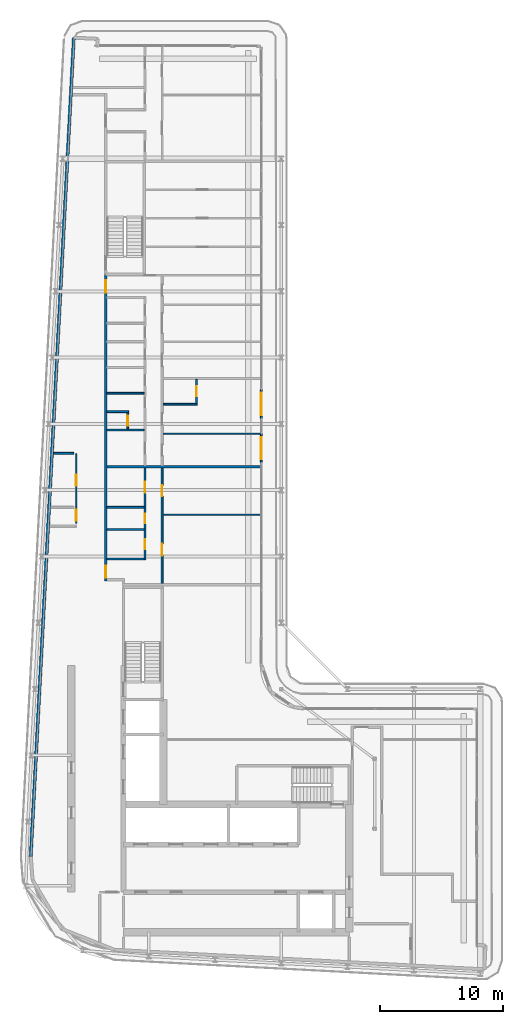
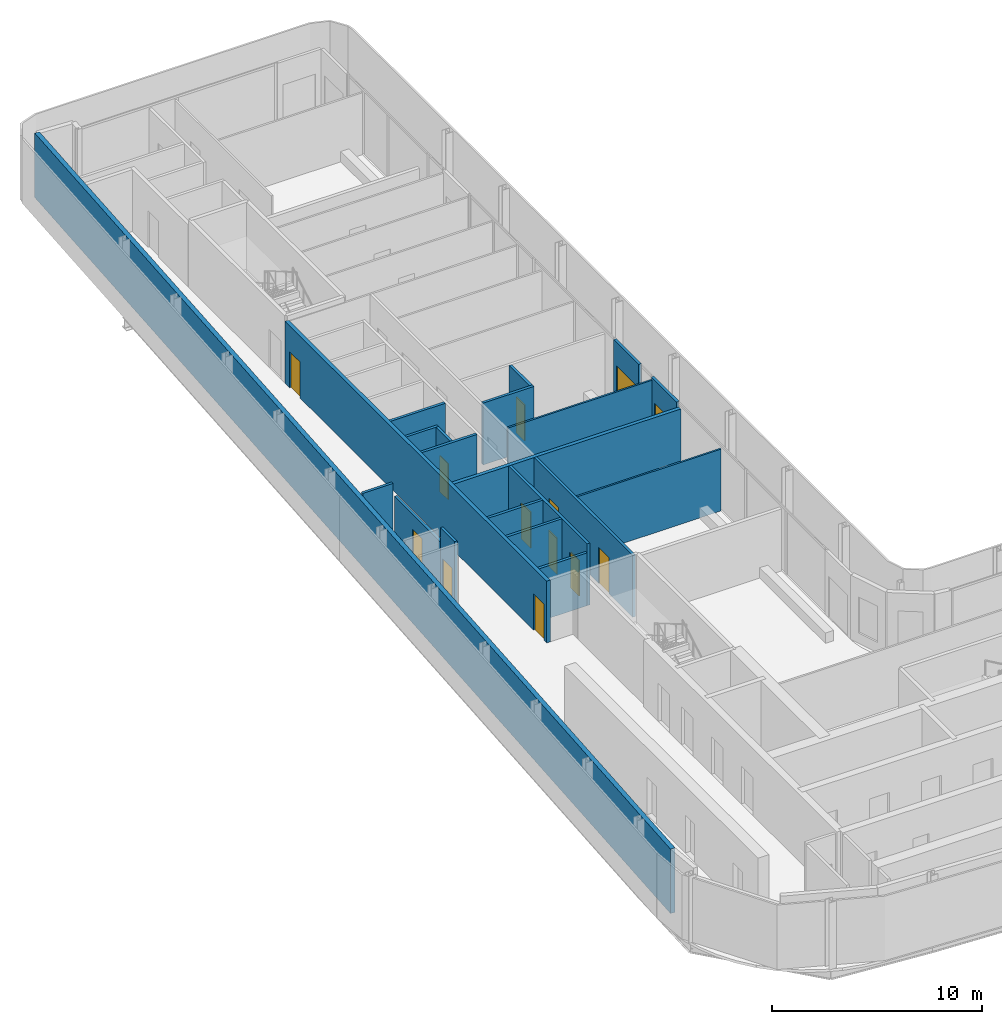
# One storey, part 13 of 21: 21 walls, 13 doors, 13 openings.
"""IFC4 building model written with IfcOpenShell, lengths in metres."""

import ifcopenshell
import ifcopenshell.guid

model = None  # the IFC model being written
_history = None  # IfcOwnerHistory: only IFC2X3 demands one
_inside = {}  # id of a spatial element -> (the spatial element, [elements in it])
_under = {}  # id of a project, library or spatial element -> (it, [spatial elements below it])
_declared = {}  # id of a project -> (the project, [libraries it declares])
_typed = {}  # id of a type object -> (the type object, [elements of that type])
_made_of = {}  # id of a material, layer set ... -> (it, [elements and type objects made of it])


def new_model(schema):
    """Start an empty IFC model of exactly this schema.

    Asked for "IFC4X3", IfcOpenShell would pick the latest addendum, in which some entities
    have other attributes; the version numbers below select the first issue.
    IFC2X3 requires an IfcOwnerHistory on every rooted entity: one is made here for all.
    """
    global model, _history
    if schema == "IFC4X3":
        model = ifcopenshell.file(schema_version=(4, 3, 0, 0))
    else:
        model = ifcopenshell.file(schema=schema)
    _inside.clear()
    _under.clear()
    _declared.clear()
    _typed.clear()
    _made_of.clear()
    _history = None
    if model.schema == "IFC2X3":
        org = make("IfcOrganization", Name="unknown")
        user = make(
            "IfcPersonAndOrganization",
            ThePerson=make("IfcPerson", FamilyName="unknown"),
            TheOrganization=org,
        )
        app = make(
            "IfcApplication",
            ApplicationDeveloper=org,
            Version="unknown",
            ApplicationFullName="unknown",
            ApplicationIdentifier="unknown",
        )
        _history = make(
            "IfcOwnerHistory",
            OwningUser=user,
            OwningApplication=app,
            ChangeAction="ADDED",
            CreationDate=0,
        )
    return model


def make(cls, **values):
    """One entity of the class cls with the attributes given. An attribute that is None is left unset."""
    return model.create_entity(
        cls, **{name: value for name, value in values.items() if value is not None}
    )


def rooted(cls, **values):
    """An entity with a GlobalId (a new one), such as an element, a storey or a relation."""
    return make(cls, GlobalId=ifcopenshell.guid.new(), OwnerHistory=_history, **values)


def si_unit(unit_type, name, prefix=None):
    """IfcSIUnit, for example si_unit("LENGTHUNIT", "METRE", prefix="MILLI")."""
    return make("IfcSIUnit", UnitType=unit_type, Prefix=prefix, Name=name)


def assignment(units):
    """IfcUnitAssignment: the units of a project."""
    return None if units is None else make("IfcUnitAssignment", Units=units)


def point(xyz):
    """IfcCartesianPoint."""
    return None if xyz is None else make("IfcCartesianPoint", Coordinates=xyz)


def direction(xyz):
    """IfcDirection."""
    return None if xyz is None else make("IfcDirection", DirectionRatios=xyz)


def frame(location, z_axis=None, x_axis=None):
    """IfcAxis2Placement3D, a coordinate frame: its origin and axes. An axis left out is left unset."""
    return make(
        "IfcAxis2Placement3D",
        Location=point(location),
        Axis=direction(z_axis),
        RefDirection=direction(x_axis),
    )


def frame_2d(location, x_axis=None):
    """IfcAxis2Placement2D, a coordinate frame in the plane: its origin and x axis."""
    return make(
        "IfcAxis2Placement2D", Location=point(location), RefDirection=direction(x_axis)
    )


def origin():
    """The frame at (0, 0, 0) with its axes left unset."""
    return frame((0.0, 0.0, 0.0))


def place(relative_to, where):
    """IfcLocalPlacement: puts the frame where relative to a parent placement (None: the world)."""
    return make(
        "IfcLocalPlacement", PlacementRelTo=relative_to, RelativePlacement=where
    )


def context(
    kind, dimensions, precision=None, world=None, true_north=None, identifier=None
):
    """IfcGeometricRepresentationContext, for example the 3D "Model" context."""
    return make(
        "IfcGeometricRepresentationContext",
        ContextIdentifier=identifier,
        ContextType=kind,
        CoordinateSpaceDimension=dimensions,
        Precision=precision,
        WorldCoordinateSystem=world,
        TrueNorth=true_north,
    )


def subcontext(parent, identifier, kind, view, scale=None):
    """IfcGeometricRepresentationSubContext, for example "Body" below "Model"."""
    return make(
        "IfcGeometricRepresentationSubContext",
        ContextIdentifier=identifier,
        ContextType=kind,
        ParentContext=parent,
        TargetScale=scale,
        TargetView=view,
    )


def project(units=None, contexts=None):
    """IfcProject with its units and contexts."""
    return rooted(
        "IfcProject",
        Name="project",
        RepresentationContexts=contexts,
        UnitsInContext=assignment(units),
    )


def spatial(cls, under=None, at=None, **own):
    """A site, building, storey or space (cls), placed at a placement, below another one or the project."""
    s = rooted(cls, ObjectPlacement=at, **own)
    if under is not None:
        _under.setdefault(under.id(), (under, []))[1].append(s)
    return s


def profile(cls, at=None, kind="AREA", **sizes):
    """A parametric profile (cls). Its sizes go by their IFC names, for example OverallWidth=200.0."""
    return make(cls, ProfileType=kind, Position=at, **sizes)


def rectangle(**sizes):
    """IfcRectangleProfileDef."""
    return profile("IfcRectangleProfileDef", **sizes)


def extrude(swept, where, along, depth):
    """IfcExtrudedAreaSolid: the profile swept, set in the frame where, extruded along a direction by depth."""
    return make(
        "IfcExtrudedAreaSolid",
        SweptArea=swept,
        Position=where,
        ExtrudedDirection=direction(along),
        Depth=depth,
    )


def shape(context_of_items, identifier, shape_type, items):
    """IfcShapeRepresentation: the items that make up one representation, for example the "Body"."""
    return make(
        "IfcShapeRepresentation",
        ContextOfItems=context_of_items,
        RepresentationIdentifier=identifier,
        RepresentationType=shape_type,
        Items=items,
    )


def source(mapping_origin, context_of_items, identifier, shape_type, items):
    """IfcRepresentationMap: a shape defined once, which mapped items show again and again."""
    return make(
        "IfcRepresentationMap",
        MappingOrigin=mapping_origin,
        MappedRepresentation=shape(context_of_items, identifier, shape_type, items),
    )


def transform(
    local_origin,
    x_axis=None,
    y_axis=None,
    z_axis=None,
    scale=None,
    scale2=None,
    scale3=None,
    uniform=True,
):
    """IfcCartesianTransformationOperator3D, or its non-uniform kind. x_axis, y_axis, z_axis: its Axis1, 2, 3."""
    if uniform:
        return make(
            "IfcCartesianTransformationOperator3D",
            Axis1=direction(x_axis),
            Axis2=direction(y_axis),
            LocalOrigin=point(local_origin),
            Scale=scale,
            Axis3=direction(z_axis),
        )
    return make(
        "IfcCartesianTransformationOperator3DnonUniform",
        Axis1=direction(x_axis),
        Axis2=direction(y_axis),
        LocalOrigin=point(local_origin),
        Scale=scale,
        Axis3=direction(z_axis),
        Scale2=scale2,
        Scale3=scale3,
    )


def mapped(mapping_source, mapping_target):
    """IfcMappedItem: shows the shape of a source again, moved by a transform."""
    return make(
        "IfcMappedItem", MappingSource=mapping_source, MappingTarget=mapping_target
    )


def material(Name=None, Category=None):
    """IfcMaterial."""
    return make("IfcMaterial", Name=Name, Category=Category)


def layer(
    of_material, thickness, ventilated=None, Name=None, Category=None, Priority=None
):
    """IfcMaterialLayer: one layer of a wall or slab, of a material (None: an air gap)."""
    return make(
        "IfcMaterialLayer",
        Material=of_material,
        LayerThickness=thickness,
        IsVentilated=ventilated,
        Name=Name,
        Category=Category,
        Priority=Priority,
    )


def layer_set(layers, Name=None):
    """IfcMaterialLayerSet."""
    return make("IfcMaterialLayerSet", MaterialLayers=layers, LayerSetName=Name)


def made_of(thing, what):
    """Note that an element or type object is made of a material, layer set ...; save() writes the relation."""
    if what is not None:
        _made_of.setdefault(what.id(), (what, []))[1].append(thing)
    return thing


def type_object(cls, material=None, **own):
    """A type object (cls), such as IfcWallType, which elements share."""
    return made_of(rooted(cls, **own), material)


def element(
    cls,
    number,
    at=None,
    inside=None,
    cuts=None,
    type_object=None,
    material=None,
    context=None,
    identifier="Body",
    shape_type=None,
    held_by="IfcProductDefinitionShape",
    body=None,
    shapes=None,
    **own,
):
    """One element of the class cls, such as IfcWall. Its Tag is "e" and its number.

    at: its placement. inside: the storey or other place that contains it. cuts: it is an
    opening in that element (IfcRelVoidsElement). A single representation is given by context,
    identifier, shape_type and body (its items); several are given by shapes. held_by: the class
    of the entity that holds the representations. save() writes the other relations.
    """
    e = rooted(cls, Tag="e%d" % number, ObjectPlacement=at, **own)
    if body is not None:
        shapes = [shape(context, identifier, shape_type, body)]
    if shapes is not None:
        e.Representation = make(held_by, Representations=shapes)
    if inside is not None:
        _inside.setdefault(inside.id(), (inside, []))[1].append(e)
    if cuts is not None:
        rooted(
            "IfcRelVoidsElement", RelatingBuildingElement=cuts, RelatedOpeningElement=e
        )
    if type_object is not None:
        _typed.setdefault(type_object.id(), (type_object, []))[1].append(e)
    return made_of(e, material)


def fill(opening, filler):
    """IfcRelFillsElement: the door or window that sits in an opening."""
    return rooted(
        "IfcRelFillsElement",
        RelatingOpeningElement=opening,
        RelatedBuildingElement=filler,
    )


def aggregate(whole, parts):
    """IfcRelAggregates: a whole, such as a stair, and the parts it consists of."""
    return rooted("IfcRelAggregates", RelatingObject=whole, RelatedObjects=parts)


def save(model, path):
    """Write the relations noted so far, then the file.

    IfcRelAggregates (storeys below a building ...), IfcRelContainedInSpatialStructure (elements
    in a storey), IfcRelDefinesByType, IfcRelAssociatesMaterial and IfcRelDeclares: one each for
    every whole, place, type object, material and project.
    """
    for whole, parts in _under.values():
        aggregate(whole, parts)
    for where, things in _inside.values():
        rooted(
            "IfcRelContainedInSpatialStructure",
            RelatedElements=things,
            RelatingStructure=where,
        )
    for kind, things in _typed.values():
        rooted("IfcRelDefinesByType", RelatedObjects=things, RelatingType=kind)
    for what, things in _made_of.values():
        rooted("IfcRelAssociatesMaterial", RelatedObjects=things, RelatingMaterial=what)
    for by, libraries in _declared.values():
        rooted("IfcRelDeclares", RelatingContext=by, RelatedDefinitions=libraries)
    model.write(path)


model = new_model("IFC4")

# Units and contexts
model_context = context("Model", 3, precision=1e-05, world=origin(), true_north=direction((0.0, 1.0)))
body_context = subcontext(model_context, "Body", "Model", "MODEL_VIEW")
ifc_project = project(units=[si_unit("LENGTHUNIT", "METRE"), si_unit("AREAUNIT", "SQUARE_METRE"), si_unit("VOLUMEUNIT", "CUBIC_METRE"), si_unit("PLANEANGLEUNIT", "RADIAN"), si_unit("MASSUNIT", "GRAM", prefix="KILO")], contexts=[model_context])

# Site, building, storey
site_placement = place(None, origin())
site = spatial("IfcSite", under=ifc_project, at=site_placement, CompositionType="ELEMENT")
building_placement = place(site_placement, origin())
building = spatial("IfcBuilding", under=site, at=building_placement, Name="Kheshtan School and Residences Tower", CompositionType="ELEMENT")
storey_placement = place(building_placement, frame((0.0, 0.0, 278.60009765625)))
storey = spatial("IfcBuildingStorey", under=building, at=storey_placement, Name="L65", CompositionType="ELEMENT", Elevation=278.60009765625)

# Wall, openings, doors
ifc_material_1 = material(Name="Gypsum board on steel studs with fire boards", Category="steel")
ifc_layer_1 = layer(ifc_material_1, 0.199951171875)
ifc_layer_set_1 = layer_set([ifc_layer_1], Name="Corridor wall 200")
wall_type_1 = type_object("IfcWallType", Name="Corridor wall 200", PredefinedType="PARTITIONING", material=ifc_layer_set_1)
wall_1_placement = place(storey_placement, frame((33.300048828125, 54.39990234375, 0.0), z_axis=(0.0, 0.0, 1.0), x_axis=(0.0, 1.0, 0.0)))
wall_1 = element("IfcWall", 1, at=wall_1_placement, inside=storey, type_object=wall_type_1, Name="Partition L65-003", PredefinedType="PARTITIONING", context=body_context, shape_type="SweptSolid", body=[
    extrude(rectangle(XDim=24.9501953125, YDim=0.199951171875, at=frame_2d((12.47509765625, 0.0))), origin(), (0.0, 0.0, 1.0), 3.599853515625),
])
opening_1_placement = place(wall_1_placement, frame((0.25, 0.0, 0.0)))
opening_1 = element("IfcOpeningElement", 2, at=opening_1_placement, cuts=wall_1, Name="Opening D64-003", PredefinedType="OPENING", context=body_context, shape_type="SweptSolid", body=[
    extrude(rectangle(XDim=1.0, YDim=2.10009765625, at=frame_2d((0.5, 1.050048828125))), frame((0.0, 0.10986328125, 0.0), z_axis=(0.0, -1.0, 0.0), x_axis=(1.0, 0.0, 0.0)), (0.0, 0.0, 1.0), 0.219970703125),
])
opening_2_placement = place(wall_1_placement, frame((23.5, 0.0, 0.0)))
opening_2 = element("IfcOpeningElement", 3, at=opening_2_placement, cuts=wall_1, Name="Opening D64-013", PredefinedType="OPENING", context=body_context, shape_type="SweptSolid", body=[
    extrude(rectangle(XDim=1.0, YDim=2.10009765625, at=frame_2d((0.5, 1.050048828125))), frame((0.0, 0.10986328125, 0.0), z_axis=(0.0, -1.0, 0.0), x_axis=(1.0, 0.0, 0.0)), (0.0, 0.0, 1.0), 0.219970703125),
])
ifc_material_2 = material(Name="Steel-framed fire-resisting door leaf", Category="steel")
door_type_1 = type_object("IfcDoorType", Name="Fire door FD30S 1000 x 2100", OperationType="SINGLE_SWING_LEFT", PredefinedType="DOOR", material=ifc_material_2)
shared_shape_1 = source(origin(), body_context, "Body", "SweptSolid", [
    extrude(rectangle(XDim=1.0, YDim=2.10009765625, at=frame_2d((0.5, 1.050048828125))), frame((0.0, 0.02490234375, 0.0), z_axis=(0.0, -1.0, 0.0), x_axis=(1.0, 0.0, 0.0)), (0.0, 0.0, 1.0), 0.050048828125),
])
door_1_placement = place(opening_1_placement, origin())
door_1 = element("IfcDoor", 4, at=door_1_placement, inside=storey, type_object=door_type_1, Name="Door D64-003", OperationType="SINGLE_SWING_RIGHT", OverallHeight=2.10009765625, OverallWidth=1.0, PredefinedType="DOOR", context=body_context, shape_type="MappedRepresentation", body=[
    mapped(shared_shape_1, transform((0.0, 0.0, 0.0), x_axis=(1.0, 0.0, 0.0), y_axis=(0.0, 1.0, 0.0), z_axis=(0.0, 0.0, 1.0), scale=1.0)),
])
fill(opening_1, door_1)
door_2_placement = place(opening_2_placement, origin())
door_2 = element("IfcDoor", 5, at=door_2_placement, inside=storey, type_object=door_type_1, Name="Door D64-013", OperationType="SINGLE_SWING_RIGHT", OverallHeight=2.10009765625, OverallWidth=1.0, PredefinedType="DOOR", context=body_context, shape_type="MappedRepresentation", body=[
    mapped(shared_shape_1, transform((0.0, 0.0, 0.0), x_axis=(1.0, 0.0, 0.0), y_axis=(0.0, 1.0, 0.0), z_axis=(0.0, 0.0, 1.0), scale=1.0)),
])
fill(opening_2, door_2)

# Wall
ifc_material_3 = material(Name="Concrete C40/50 with ceramic cladding and mineral wool insulation", Category="concrete")
ifc_layer_2 = layer(ifc_material_3, 0.25)
ifc_layer_set_2 = layer_set([ifc_layer_2], Name="External wall 250 ceramic clad")
wall_type_2 = type_object("IfcWallType", Name="External wall 250 ceramic clad", PredefinedType="SOLIDWALL", material=ifc_layer_set_2)
wall_2_placement = place(storey_placement, frame((27.195068359375, 31.968994140625, 0.0), z_axis=(0.0, 0.0, 1.0), x_axis=(0.052554995867, 0.998618031286, 0.0)))
element("IfcWall", 6, at=wall_2_placement, inside=storey, type_object=wall_type_2, Name="External wall L65 4", PredefinedType="SOLIDWALL", context=body_context, shape_type="SweptSolid", body=[
    extrude(rectangle(XDim=66.787353515625, YDim=0.25, at=frame_2d((33.3935546875, 0.0))), origin(), (0.0, 0.0, 1.0), 3.75),
])

# Wall, opening, door
ifc_material_4 = material(Name="Aluminium frame wall with insulated infill", Category="aluminium")
ifc_layer_3 = layer(ifc_material_4, 0.14990234375)
ifc_layer_set_3 = layer_set([ifc_layer_3], Name="Glazing frame wall 150")
wall_type_3 = type_object("IfcWallType", Name="Glazing frame wall 150", PredefinedType="SOLIDWALL", material=ifc_layer_set_3)
wall_3_placement = place(storey_placement, frame((45.97509765625, 70.01806640625, 0.0), z_axis=(0.0, 0.0, 1.0), x_axis=(0.0, -1.0, 0.0)))
wall_3 = element("IfcWall", 7, at=wall_3_placement, inside=storey, type_object=wall_type_3, Name="Balcony door wall L65 8.3", PredefinedType="SOLIDWALL", context=body_context, shape_type="SweptSolid", body=[
    extrude(rectangle(XDim=2.400146484375, YDim=0.14990234375, at=frame_2d((1.2001953125, 0.0))), origin(), (0.0, 0.0, 1.0), 3.75),
])
opening_3_placement = place(wall_3_placement, frame((0.300048828125, 0.0, 0.0)))
opening_3 = element("IfcOpeningElement", 8, at=opening_3_placement, cuts=wall_3, Name="Opening BD", PredefinedType="OPENING", context=body_context, shape_type="SweptSolid", body=[
    extrude(rectangle(XDim=1.800048828125, YDim=2.39990234375, at=frame_2d((0.89990234375, 1.199951171875))), frame((0.0, 0.0849609375, 0.0), z_axis=(0.0, -1.0, 0.0), x_axis=(1.0, 0.0, 0.0)), (0.0, 0.0, 1.0), 0.169921875),
])
ifc_material_5 = material(Name="Clear low-e glass in thermally broken aluminium frame", Category="aluminium")
door_type_2 = type_object("IfcDoorType", Name="Balcony sliding door", OperationType="SLIDING_TO_LEFT", PredefinedType="DOOR", material=ifc_material_5)
shared_shape_2 = source(origin(), body_context, "Body", "SweptSolid", [
    extrude(rectangle(XDim=1.800048828125, YDim=2.39990234375, at=frame_2d((0.89990234375, 1.199951171875))), frame((0.0, 0.02490234375, 0.0), z_axis=(0.0, -1.0, 0.0), x_axis=(1.0, 0.0, 0.0)), (0.0, 0.0, 1.0), 0.050048828125),
])
door_3_placement = place(opening_3_placement, origin())
door_3 = element("IfcDoor", 9, at=door_3_placement, inside=storey, type_object=door_type_2, Name="Balcony door L65 8.3", OperationType="SLIDING_TO_LEFT", OverallHeight=2.39990234375, OverallWidth=1.800048828125, PredefinedType="DOOR", context=body_context, shape_type="MappedRepresentation", body=[
    mapped(shared_shape_2, transform((0.0, 0.0, 0.0), x_axis=(1.0, 0.0, 0.0), y_axis=(0.0, 1.0, 0.0), z_axis=(0.0, 0.0, 1.0), scale=1.0)),
])
fill(opening_3, door_3)

wall_4_placement = place(storey_placement, frame((45.97509765625, 66.41796875, 0.0), z_axis=(0.0, 0.0, 1.0), x_axis=(0.0, -1.0, 0.0)))
wall_4 = element("IfcWall", 10, at=wall_4_placement, inside=storey, type_object=wall_type_3, Name="Balcony door wall L65 8.4", PredefinedType="SOLIDWALL", context=body_context, shape_type="SweptSolid", body=[
    extrude(rectangle(XDim=2.39990234375, YDim=0.14990234375, at=frame_2d((1.199951171875, 0.0))), origin(), (0.0, 0.0, 1.0), 3.75),
])
opening_4_placement = place(wall_4_placement, frame((0.300048828125, 0.0, 0.0)))
opening_4 = element("IfcOpeningElement", 11, at=opening_4_placement, cuts=wall_4, Name="Opening BD", PredefinedType="OPENING", context=body_context, shape_type="SweptSolid", body=[
    extrude(rectangle(XDim=1.800048828125, YDim=2.39990234375, at=frame_2d((0.89990234375, 1.199951171875))), frame((0.0, 0.0849609375, 0.0), z_axis=(0.0, -1.0, 0.0), x_axis=(1.0, 0.0, 0.0)), (0.0, 0.0, 1.0), 0.169921875),
])
door_4_placement = place(opening_4_placement, origin())
door_4 = element("IfcDoor", 12, at=door_4_placement, inside=storey, type_object=door_type_2, Name="Balcony door L65 8.4", OperationType="SLIDING_TO_LEFT", OverallHeight=2.39990234375, OverallWidth=1.800048828125, PredefinedType="DOOR", context=body_context, shape_type="MappedRepresentation", body=[
    mapped(shared_shape_2, transform((0.0, 0.0, 0.0), x_axis=(1.0, 0.0, 0.0), y_axis=(0.0, 1.0, 0.0), z_axis=(0.0, 0.0, 1.0), scale=1.0)),
])
fill(opening_4, door_4)

# Walls
ifc_material_6 = material(Name="Gypsum board on steel studs", Category="steel")
ifc_layer_4 = layer(ifc_material_6, 0.10009765625)
ifc_layer_set_4 = layer_set([ifc_layer_4], Name="Gypsum partition 100")
wall_type_4 = type_object("IfcWallType", Name="Gypsum partition 100", PredefinedType="PARTITIONING", material=ifc_layer_set_4)
for number, where, z_axis, x_axis, name in (
    (13, (37.97509765625, 59.800048828125, 0.0), (0.0, 0.0, 1.0), (1.0, 0.0, 0.0), "Partition L65-035"),
    (14, (37.97509765625, 66.39990234375, 0.0), (0.0, 0.0, 1.0), (1.0, 0.0, 0.0), "Partition L65-036"),
):
    element("IfcWall", number, at=place(storey_placement, frame(where, z_axis=z_axis, x_axis=x_axis)), inside=storey, type_object=wall_type_4, Name=name, PredefinedType="PARTITIONING", context=body_context, shape_type="SweptSolid", body=[
        extrude(rectangle(XDim=7.9248046875, YDim=0.10009765625, at=frame_2d((3.96240234375, 0.0))), origin(), (0.0, 0.0, 1.0), 3.599853515625),
    ])

# Wall, opening, door
ifc_material_7 = material(Name="Fire-board shaft wall system")
ifc_layer_5 = layer(ifc_material_7, 0.14990234375)
ifc_layer_set_5 = layer_set([ifc_layer_5], Name="Service room wall 150")
wall_type_5 = type_object("IfcWallType", Name="Service room wall 150", PredefinedType="PARTITIONING", material=ifc_layer_set_5)
wall_5_placement = place(storey_placement, frame((30.89990234375, 59.06689453125, 0.0), z_axis=(0.0, 0.0, 1.0), x_axis=(0.0, 1.0, 0.0)))
wall_5 = element("IfcWall", 15, at=wall_5_placement, inside=storey, type_object=wall_type_5, Name="Service room wall", PredefinedType="PARTITIONING", context=body_context, shape_type="SweptSolid", body=[
    extrude(rectangle(XDim=1.34716796875, YDim=0.14990234375, at=frame_2d((0.673583984375, 0.0))), origin(), (0.0, 0.0, 1.0), 3.89990234375),
])
opening_5_placement = place(wall_5_placement, frame((0.22607421875, 0.0, 0.0)))
opening_5 = element("IfcOpeningElement", 16, at=opening_5_placement, cuts=wall_5, Name="Opening SR90", PredefinedType="OPENING", context=body_context, shape_type="SweptSolid", body=[
    extrude(rectangle(XDim=0.89990234375, YDim=2.199951171875, at=frame_2d((0.449951171875, 1.10009765625))), frame((0.0, 0.0849609375, 0.0), z_axis=(0.0, -1.0, 0.0), x_axis=(1.0, 0.0, 0.0)), (0.0, 0.0, 1.0), 0.169921875),
])
ifc_material_8 = material(Name="Steel door leaf, galvanised", Category="steel")
door_type_3 = type_object("IfcDoorType", Name="Service room door 900 steel 90 min", OperationType="SINGLE_SWING_LEFT", PredefinedType="DOOR", material=ifc_material_8)
shared_shape_3 = source(origin(), body_context, "Body", "SweptSolid", [
    extrude(rectangle(XDim=0.89990234375, YDim=2.199951171875, at=frame_2d((0.449951171875, 1.10009765625))), frame((0.0, 0.02490234375, 0.0), z_axis=(0.0, -1.0, 0.0), x_axis=(1.0, 0.0, 0.0)), (0.0, 0.0, 1.0), 0.050048828125),
])
door_5_placement = place(opening_5_placement, origin())
door_5 = element("IfcDoor", 17, at=door_5_placement, inside=storey, type_object=door_type_3, Name="Service room door", OperationType="SINGLE_SWING_LEFT", OverallHeight=2.199951171875, OverallWidth=0.89990234375, PredefinedType="DOOR", context=body_context, shape_type="MappedRepresentation", body=[
    mapped(shared_shape_3, transform((0.0, 0.0, 0.0), x_axis=(1.0, 0.0, 0.0), y_axis=(0.0, 1.0, 0.0), z_axis=(0.0, 0.0, 1.0), scale=1.0)),
])
fill(opening_5, door_5)

wall_6_placement = place(storey_placement, frame((30.89990234375, 60.4140625, 0.0), z_axis=(0.0, 0.0, 1.0), x_axis=(0.0, 1.0, 0.0)))
wall_6 = element("IfcWall", 18, at=wall_6_placement, inside=storey, type_object=wall_type_5, Name="Service room wall", PredefinedType="PARTITIONING", context=body_context, shape_type="SweptSolid", body=[
    extrude(rectangle(XDim=4.385986328125, YDim=0.14990234375, at=frame_2d((2.19287109375, 0.0))), origin(), (0.0, 0.0, 1.0), 3.072021484375),
])
opening_6_placement = place(wall_6_placement, frame((1.742919921875, 0.0, 0.0)))
opening_6 = element("IfcOpeningElement", 19, at=opening_6_placement, cuts=wall_6, Name="Opening SR90", PredefinedType="OPENING", context=body_context, shape_type="SweptSolid", body=[
    extrude(rectangle(XDim=0.89990234375, YDim=2.199951171875, at=frame_2d((0.449951171875, 1.10009765625))), frame((0.0, 0.0849609375, 0.0), z_axis=(0.0, -1.0, 0.0), x_axis=(1.0, 0.0, 0.0)), (0.0, 0.0, 1.0), 0.169921875),
])
door_6_placement = place(opening_6_placement, origin())
door_6 = element("IfcDoor", 20, at=door_6_placement, inside=storey, type_object=door_type_3, Name="Service room door", OperationType="SINGLE_SWING_LEFT", OverallHeight=2.199951171875, OverallWidth=0.89990234375, PredefinedType="DOOR", context=body_context, shape_type="MappedRepresentation", body=[
    mapped(shared_shape_3, transform((0.0, 0.0, 0.0), x_axis=(1.0, 0.0, 0.0), y_axis=(0.0, 1.0, 0.0), z_axis=(0.0, 0.0, 1.0), scale=1.0)),
])
fill(opening_6, door_6)

# Walls
wall_7_placement = place(storey_placement, frame((29.050048828125, 64.800048828125, 0.0), z_axis=(0.0, 0.0, 1.0), x_axis=(1.0, 0.0, 0.0)))
element("IfcWall", 21, at=wall_7_placement, inside=storey, type_object=wall_type_5, Name="Service room wall", PredefinedType="PARTITIONING", context=body_context, shape_type="SweptSolid", body=[
    extrude(rectangle(XDim=1.655029296875, YDim=0.14990234375, at=frame_2d((0.82763671875, 0.0))), origin(), (0.0, 0.0, 1.0), 3.89990234375),
])
ifc_material_9 = material(Name="Twin gypsum board on steel studs with mineral wool", Category="steel")
ifc_layer_6 = layer(ifc_material_9, 0.199951171875)
ifc_layer_set_6 = layer_set([ifc_layer_6], Name="Unit demising wall 200")
wall_type_6 = type_object("IfcWallType", Name="Unit demising wall 200", PredefinedType="PARTITIONING", material=ifc_layer_set_6)
wall_8_placement = place(storey_placement, frame((33.39990234375, 63.699951171875, 0.0), z_axis=(0.0, 0.0, 1.0), x_axis=(1.0, 0.0, 0.0)))
element("IfcWall", 22, at=wall_8_placement, inside=storey, type_object=wall_type_6, Name="Partition L65-009", PredefinedType="PARTITIONING", context=body_context, shape_type="SweptSolid", body=[
    extrude(rectangle(XDim=12.5, YDim=0.199951171875, at=frame_2d((6.25, 0.0))), origin(), (0.0, 0.0, 1.0), 3.599853515625),
])
ifc_material_10 = material(Name="Moisture-resistant gypsum board on steel studs", Category="steel")
ifc_layer_7 = layer(ifc_material_10, 0.14990234375)
ifc_layer_set_7 = layer_set([ifc_layer_7], Name="Wet-room partition 150")
wall_type_7 = type_object("IfcWallType", Name="Wet-room partition 150", PredefinedType="PARTITIONING", material=ifc_layer_set_7)
wall_9_placement = place(storey_placement, frame((33.39990234375, 56.199951171875, 0.0), z_axis=(0.0, 0.0, 1.0), x_axis=(1.0, 0.0, 0.0)))
element("IfcWall", 23, at=wall_9_placement, inside=storey, type_object=wall_type_7, Name="Partition L65-006", PredefinedType="PARTITIONING", context=body_context, shape_type="SweptSolid", body=[
    extrude(rectangle(XDim=3.025146484375, YDim=0.14990234375, at=frame_2d((1.5126953125, 0.0))), origin(), (0.0, 0.0, 1.0), 3.072021484375),
])
for number, where, z_axis, x_axis, name in (
    (24, (33.39990234375, 58.60009765625, 0.0), (0.0, 0.0, 1.0), (1.0, 0.0, 0.0), "Partition L65-007"),
    (25, (33.39990234375, 60.39990234375, 0.0), (0.0, 0.0, 1.0), (1.0, 0.0, 0.0), "Partition L65-008"),
    (26, (33.39990234375, 66.699951171875, 0.0), (0.0, 0.0, 1.0), (1.0, 0.0, 0.0), "Partition L65-010"),
):
    element("IfcWall", number, at=place(storey_placement, frame(where, z_axis=z_axis, x_axis=x_axis)), inside=storey, type_object=wall_type_7, Name=name, PredefinedType="PARTITIONING", context=body_context, shape_type="SweptSolid", body=[
        extrude(rectangle(XDim=3.025146484375, YDim=0.14990234375, at=frame_2d((1.5126953125, 0.0))), origin(), (0.0, 0.0, 1.0), 3.599853515625),
    ])
wall_10_placement = place(storey_placement, frame((33.39990234375, 68.199951171875, 0.0), z_axis=(0.0, 0.0, 1.0), x_axis=(1.0, 0.0, 0.0)))
element("IfcWall", 27, at=wall_10_placement, inside=storey, type_object=wall_type_7, Name="Partition L65-011", PredefinedType="PARTITIONING", context=body_context, shape_type="SweptSolid", body=[
    extrude(rectangle(XDim=1.775146484375, YDim=0.14990234375, at=frame_2d((0.8876953125, 0.0))), origin(), (0.0, 0.0, 1.0), 3.599853515625),
])
wall_11_placement = place(storey_placement, frame((33.39990234375, 69.699951171875, 0.0), z_axis=(0.0, 0.0, 1.0), x_axis=(1.0, 0.0, 0.0)))
element("IfcWall", 28, at=wall_11_placement, inside=storey, type_object=wall_type_7, Name="Partition L65-012", PredefinedType="PARTITIONING", context=body_context, shape_type="SweptSolid", body=[
    extrude(rectangle(XDim=3.025146484375, YDim=0.14990234375, at=frame_2d((1.5126953125, 0.0))), origin(), (0.0, 0.0, 1.0), 3.599853515625),
])

# Wall, opening, door
wall_12_placement = place(storey_placement, frame((35.10009765625, 66.77490234375, 0.0), z_axis=(0.0, 0.0, 1.0), x_axis=(0.0, 1.0, 0.0)))
wall_12 = element("IfcWall", 29, at=wall_12_placement, inside=storey, type_object=wall_type_7, Name="Partition L65-022", PredefinedType="PARTITIONING", context=body_context, shape_type="SweptSolid", body=[
    extrude(rectangle(XDim=1.35009765625, YDim=0.14990234375, at=frame_2d((0.675048828125, 0.0))), origin(), (0.0, 0.0, 1.0), 3.599853515625),
])
opening_7_placement = place(wall_12_placement, frame((0.27490234375, 0.0, 0.0)))
opening_7 = element("IfcOpeningElement", 30, at=opening_7_placement, cuts=wall_12, Name="Opening D64-017", PredefinedType="OPENING", context=body_context, shape_type="SweptSolid", body=[
    extrude(rectangle(XDim=0.800048828125, YDim=2.10009765625, at=frame_2d((0.39990234375, 1.050048828125))), frame((0.0, 0.0849609375, 0.0), z_axis=(0.0, -1.0, 0.0), x_axis=(1.0, 0.0, 0.0)), (0.0, 0.0, 1.0), 0.169921875),
])
ifc_material_11 = material(Name="Veneered timber door leaf", Category="wood")
door_type_4 = type_object("IfcDoorType", Name="Door 800 x 2100", OperationType="SINGLE_SWING_LEFT", PredefinedType="DOOR", material=ifc_material_11)
shared_shape_4 = source(origin(), body_context, "Body", "SweptSolid", [
    extrude(rectangle(XDim=0.800048828125, YDim=2.10009765625, at=frame_2d((0.39990234375, 1.050048828125))), frame((0.0, 0.02490234375, 0.0), z_axis=(0.0, -1.0, 0.0), x_axis=(1.0, 0.0, 0.0)), (0.0, 0.0, 1.0), 0.050048828125),
])
door_7_placement = place(opening_7_placement, origin())
door_7 = element("IfcDoor", 31, at=door_7_placement, inside=storey, type_object=door_type_4, Name="Door D64-017", OperationType="SINGLE_SWING_LEFT", OverallHeight=2.10009765625, OverallWidth=0.800048828125, PredefinedType="DOOR", context=body_context, shape_type="MappedRepresentation", body=[
    mapped(shared_shape_4, transform((0.0, 0.0, 0.0), x_axis=(1.0, 0.0, 0.0), y_axis=(0.0, 1.0, 0.0), z_axis=(0.0, 0.0, 1.0), scale=1.0)),
])
fill(opening_7, door_7)

# Wall, openings, doors
wall_13_placement = place(storey_placement, frame((36.5, 56.125, 0.0), z_axis=(0.0, 0.0, 1.0), x_axis=(0.0, 1.0, 0.0)))
wall_13 = element("IfcWall", 32, at=wall_13_placement, inside=storey, type_object=wall_type_7, Name="Partition L65-024", PredefinedType="PARTITIONING", context=body_context, shape_type="SweptSolid", body=[
    extrude(rectangle(XDim=7.47509765625, YDim=0.14990234375, at=frame_2d((3.737548828125, 0.0))), origin(), (0.0, 0.0, 1.0), 3.599853515625),
])
opening_8_placement = place(wall_13_placement, frame((0.875, 0.0, 0.0)))
opening_8 = element("IfcOpeningElement", 33, at=opening_8_placement, cuts=wall_13, Name="Opening D64-001", PredefinedType="OPENING", context=body_context, shape_type="SweptSolid", body=[
    extrude(rectangle(XDim=0.800048828125, YDim=2.10009765625, at=frame_2d((0.39990234375, 1.050048828125))), frame((0.0, 0.0849609375, 0.0), z_axis=(0.0, -1.0, 0.0), x_axis=(1.0, 0.0, 0.0)), (0.0, 0.0, 1.0), 0.169921875),
])
opening_9_placement = place(wall_13_placement, frame((5.47509765625, 0.0, 0.0)))
opening_9 = element("IfcOpeningElement", 34, at=opening_9_placement, cuts=wall_13, Name="Opening D64-004", PredefinedType="OPENING", context=body_context, shape_type="SweptSolid", body=[
    extrude(rectangle(XDim=0.89990234375, YDim=2.10009765625, at=frame_2d((0.449951171875, 1.050048828125))), frame((0.0, 0.0849609375, 0.0), z_axis=(0.0, -1.0, 0.0), x_axis=(1.0, 0.0, 0.0)), (0.0, 0.0, 1.0), 0.169921875),
])
opening_10_placement = place(wall_13_placement, frame((2.97509765625, 0.0, 0.0)))
opening_10 = element("IfcOpeningElement", 35, at=opening_10_placement, cuts=wall_13, Name="Opening D64-006", PredefinedType="OPENING", context=body_context, shape_type="SweptSolid", body=[
    extrude(rectangle(XDim=0.800048828125, YDim=2.10009765625, at=frame_2d((0.39990234375, 1.050048828125))), frame((0.0, 0.0849609375, 0.0), z_axis=(0.0, -1.0, 0.0), x_axis=(1.0, 0.0, 0.0)), (0.0, 0.0, 1.0), 0.169921875),
])
door_8_placement = place(opening_8_placement, origin())
door_8 = element("IfcDoor", 36, at=door_8_placement, inside=storey, type_object=door_type_4, Name="Door D64-001", OperationType="SINGLE_SWING_LEFT", OverallHeight=2.10009765625, OverallWidth=0.800048828125, PredefinedType="DOOR", context=body_context, shape_type="MappedRepresentation", body=[
    mapped(shared_shape_4, transform((0.0, 0.0, 0.0), x_axis=(1.0, 0.0, 0.0), y_axis=(0.0, 1.0, 0.0), z_axis=(0.0, 0.0, 1.0), scale=1.0)),
])
fill(opening_8, door_8)
door_9_placement = place(opening_10_placement, origin())
door_9 = element("IfcDoor", 37, at=door_9_placement, inside=storey, type_object=door_type_4, Name="Door D64-006", OperationType="SINGLE_SWING_RIGHT", OverallHeight=2.10009765625, OverallWidth=0.800048828125, PredefinedType="DOOR", context=body_context, shape_type="MappedRepresentation", body=[
    mapped(shared_shape_4, transform((0.0, 0.0, 0.0), x_axis=(1.0, 0.0, 0.0), y_axis=(0.0, 1.0, 0.0), z_axis=(0.0, 0.0, 1.0), scale=1.0)),
])
fill(opening_10, door_9)
door_type_5 = type_object("IfcDoorType", Name="Door 900 x 2100", OperationType="SINGLE_SWING_LEFT", PredefinedType="DOOR", material=ifc_material_11)
shared_shape_5 = source(origin(), body_context, "Body", "SweptSolid", [
    extrude(rectangle(XDim=0.89990234375, YDim=2.10009765625, at=frame_2d((0.449951171875, 1.050048828125))), frame((0.0, 0.02490234375, 0.0), z_axis=(0.0, -1.0, 0.0), x_axis=(1.0, 0.0, 0.0)), (0.0, 0.0, 1.0), 0.050048828125),
])
door_10_placement = place(opening_9_placement, origin())
door_10 = element("IfcDoor", 38, at=door_10_placement, inside=storey, type_object=door_type_5, Name="Door D64-004", OperationType="SINGLE_SWING_LEFT", OverallHeight=2.10009765625, OverallWidth=0.89990234375, PredefinedType="DOOR", context=body_context, shape_type="MappedRepresentation", body=[
    mapped(shared_shape_5, transform((0.0, 0.0, 0.0), x_axis=(1.0, 0.0, 0.0), y_axis=(0.0, 1.0, 0.0), z_axis=(0.0, 0.0, 1.0), scale=1.0)),
])
fill(opening_9, door_10)

wall_14_placement = place(storey_placement, frame((37.89990234375, 54.199951171875, 0.0), z_axis=(0.0, 0.0, 1.0), x_axis=(0.0, 1.0, 0.0)))
wall_14 = element("IfcWall", 39, at=wall_14_placement, inside=storey, type_object=wall_type_7, Name="Partition L65-031", PredefinedType="PARTITIONING", context=body_context, shape_type="SweptSolid", body=[
    extrude(rectangle(XDim=9.400146484375, YDim=0.14990234375, at=frame_2d((4.7001953125, 0.0))), origin(), (0.0, 0.0, 1.0), 3.599853515625),
])
opening_11_placement = place(wall_14_placement, frame((7.10009765625, 0.0, 0.0)))
opening_11 = element("IfcOpeningElement", 40, at=opening_11_placement, cuts=wall_14, Name="Opening D64-002", PredefinedType="OPENING", context=body_context, shape_type="SweptSolid", body=[
    extrude(rectangle(XDim=0.89990234375, YDim=2.10009765625, at=frame_2d((0.449951171875, 1.050048828125))), frame((0.0, 0.0849609375, 0.0), z_axis=(0.0, -1.0, 0.0), x_axis=(1.0, 0.0, 0.0)), (0.0, 0.0, 1.0), 0.169921875),
])
opening_12_placement = place(wall_14_placement, frame((2.25, 0.0, 0.0)))
opening_12 = element("IfcOpeningElement", 41, at=opening_12_placement, cuts=wall_14, Name="Opening D64-005", PredefinedType="OPENING", context=body_context, shape_type="SweptSolid", body=[
    extrude(rectangle(XDim=1.0, YDim=2.10009765625, at=frame_2d((0.5, 1.050048828125))), frame((0.0, 0.0849609375, 0.0), z_axis=(0.0, -1.0, 0.0), x_axis=(1.0, 0.0, 0.0)), (0.0, 0.0, 1.0), 0.169921875),
])
door_type_6 = type_object("IfcDoorType", Name="Door 1000 x 2100", OperationType="SINGLE_SWING_LEFT", PredefinedType="DOOR", material=ifc_material_11)
shared_shape_6 = source(origin(), body_context, "Body", "SweptSolid", [
    extrude(rectangle(XDim=1.0, YDim=2.10009765625, at=frame_2d((0.5, 1.050048828125))), frame((0.0, 0.02490234375, 0.0), z_axis=(0.0, -1.0, 0.0), x_axis=(1.0, 0.0, 0.0)), (0.0, 0.0, 1.0), 0.050048828125),
])
door_11_placement = place(opening_12_placement, origin())
door_11 = element("IfcDoor", 42, at=door_11_placement, inside=storey, type_object=door_type_6, Name="Door D64-005", OperationType="SINGLE_SWING_RIGHT", OverallHeight=2.10009765625, OverallWidth=1.0, PredefinedType="DOOR", context=body_context, shape_type="MappedRepresentation", body=[
    mapped(shared_shape_6, transform((0.0, 0.0, 0.0), x_axis=(1.0, 0.0, 0.0), y_axis=(0.0, 1.0, 0.0), z_axis=(0.0, 0.0, 1.0), scale=1.0)),
])
fill(opening_12, door_11)
door_12_placement = place(opening_11_placement, origin())
door_12 = element("IfcDoor", 43, at=door_12_placement, inside=storey, type_object=door_type_5, Name="Door D64-002", OperationType="SINGLE_SWING_RIGHT", OverallHeight=2.10009765625, OverallWidth=0.89990234375, PredefinedType="DOOR", context=body_context, shape_type="MappedRepresentation", body=[
    mapped(shared_shape_5, transform((0.0, 0.0, 0.0), x_axis=(1.0, 0.0, 0.0), y_axis=(0.0, 1.0, 0.0), z_axis=(0.0, 0.0, 1.0), scale=1.0)),
])
fill(opening_11, door_12)

# Wall
wall_15_placement = place(storey_placement, frame((37.97509765625, 68.800048828125, 0.0), z_axis=(0.0, 0.0, 1.0), x_axis=(1.0, 0.0, 0.0)))
element("IfcWall", 44, at=wall_15_placement, inside=storey, type_object=wall_type_7, Name="Partition L65-037", PredefinedType="PARTITIONING", context=body_context, shape_type="SweptSolid", body=[
    extrude(rectangle(XDim=2.7998046875, YDim=0.14990234375, at=frame_2d((1.39990234375, 0.0))), origin(), (0.0, 0.0, 1.0), 3.599853515625),
])

# Wall, opening, door
wall_16_placement = place(storey_placement, frame((40.699951171875, 68.875, 0.0), z_axis=(0.0, 0.0, 1.0), x_axis=(0.0, 1.0, 0.0)))
wall_16 = element("IfcWall", 45, at=wall_16_placement, inside=storey, type_object=wall_type_7, Name="Partition L65-042", PredefinedType="PARTITIONING", context=body_context, shape_type="SweptSolid", body=[
    extrude(rectangle(XDim=1.949951171875, YDim=0.14990234375, at=frame_2d((0.97509765625, 0.0))), origin(), (0.0, 0.0, 1.0), 3.599853515625),
])
opening_13_placement = place(wall_16_placement, frame((0.574951171875, 0.0, 0.0)))
opening_13 = element("IfcOpeningElement", 46, at=opening_13_placement, cuts=wall_16, Name="Opening D64-012", PredefinedType="OPENING", context=body_context, shape_type="SweptSolid", body=[
    extrude(rectangle(XDim=0.800048828125, YDim=2.10009765625, at=frame_2d((0.39990234375, 1.050048828125))), frame((0.0, 0.0849609375, 0.0), z_axis=(0.0, -1.0, 0.0), x_axis=(1.0, 0.0, 0.0)), (0.0, 0.0, 1.0), 0.169921875),
])
door_13_placement = place(opening_13_placement, origin())
door_13 = element("IfcDoor", 47, at=door_13_placement, inside=storey, type_object=door_type_4, Name="Door D64-012", OperationType="SINGLE_SWING_RIGHT", OverallHeight=2.10009765625, OverallWidth=0.800048828125, PredefinedType="DOOR", context=body_context, shape_type="MappedRepresentation", body=[
    mapped(shared_shape_4, transform((0.0, 0.0, 0.0), x_axis=(1.0, 0.0, 0.0), y_axis=(0.0, 1.0, 0.0), z_axis=(0.0, 0.0, 1.0), scale=1.0)),
])
fill(opening_13, door_13)

save(model, "model.ifc")
